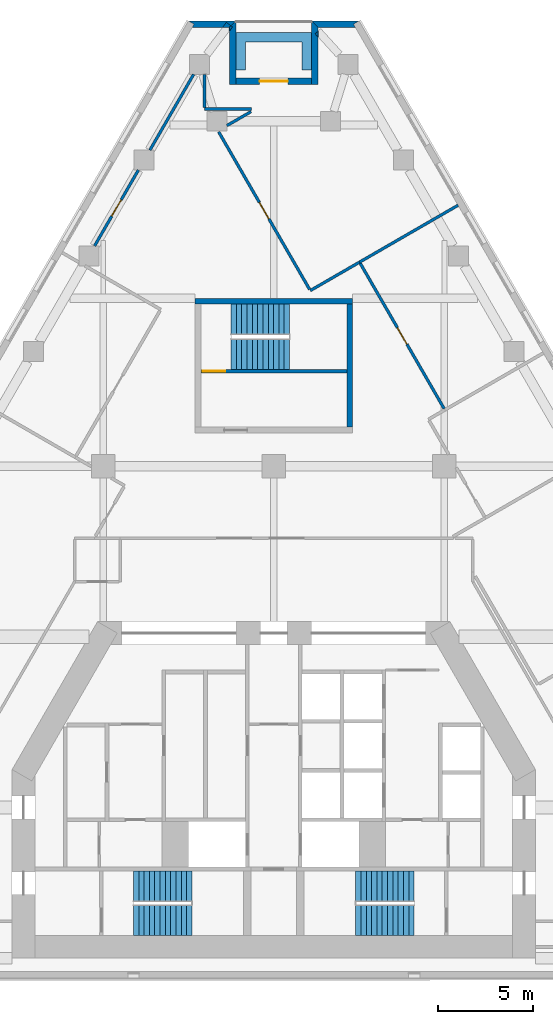
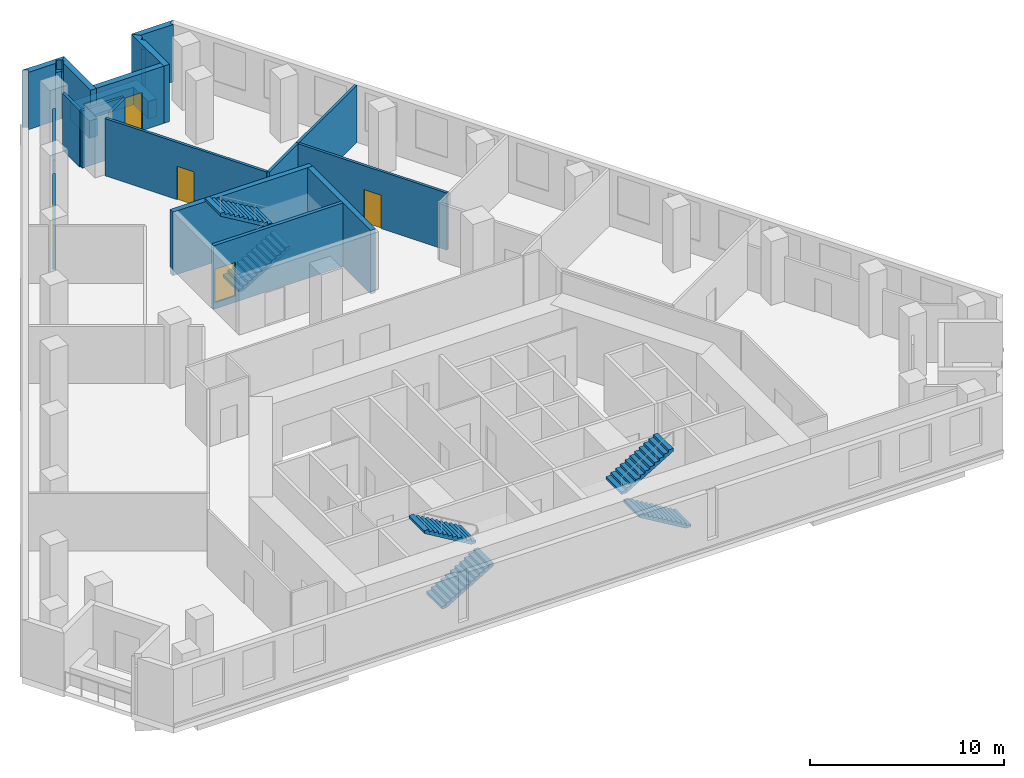
# One storey, part 8 of 9: 21 walls, 6 stair flights, 5 doors, 5 openings, 3 elements without a shape of their own.
"""IFC4 building model written with IfcOpenShell, lengths in metres."""

from ifc_helpers import new_model, si_unit, direction, frame, frame_2d, origin, place, context, subcontext, project, spatial, polyline, rectangle, outline, extrude, material, layer, layer_set, type_object, element, fill, aggregate, save


model = new_model("IFC4")

# Units and contexts
model_context = context("Model", 3, precision=1e-05, world=origin(), true_north=direction((0.0, 1.0)))
body_context = subcontext(model_context, "Body", "Model", "MODEL_VIEW")
ifc_project = project(units=[si_unit("LENGTHUNIT", "METRE"), si_unit("AREAUNIT", "SQUARE_METRE"), si_unit("VOLUMEUNIT", "CUBIC_METRE"), si_unit("PLANEANGLEUNIT", "RADIAN"), si_unit("MASSUNIT", "GRAM", prefix="KILO")], contexts=[model_context])

# Site, building, storey
site_placement = place(None, origin())
site = spatial("IfcSite", under=ifc_project, at=site_placement, CompositionType="ELEMENT")
building_placement = place(site_placement, origin())
building = spatial("IfcBuilding", under=site, at=building_placement, Name="Fogline Exchange Tower", CompositionType="ELEMENT")
storey_placement = place(building_placement, frame((0.0, 0.0, 146.89990234375)))
storey = spatial("IfcBuildingStorey", under=building, at=storey_placement, Name="L32", CompositionType="ELEMENT", Elevation=146.89990234375)

# Wall, opening, door
ifc_material_1 = material(Name="Concrete C40", Category="concrete")
ifc_layer_1 = layer(ifc_material_1, 0.199951171875)
ifc_layer_set_1 = layer_set([ifc_layer_1], Name="CW20R")
wall_type_1 = type_object("IfcWallType", Name="CW20R", PredefinedType="SOLIDWALL", material=ifc_layer_set_1)
wall_1_placement = place(storey_placement, frame((-3.85009765625, 32.007080078125, -0.39990234375), z_axis=(0.0, 0.0, 1.0), x_axis=(1.0, 0.0, 0.0)))
wall_1 = element("IfcWall", 1, at=wall_1_placement, inside=storey, type_object=wall_type_1, Name="Stair enclosure wall ST3", PredefinedType="SOLIDWALL", context=body_context, shape_type="SweptSolid", body=[
    extrude(rectangle(XDim=7.7001953125, YDim=0.199951171875, at=frame_2d((3.85009765625, 0.0))), origin(), (0.0, 0.0, 1.0), 4.0),
])
opening_1_placement = place(wall_1_placement, frame((0.10009765625, 0.0, 0.39990234375)))
opening_1 = element("IfcOpeningElement", 2, at=opening_1_placement, cuts=wall_1, Name="Opening T10-C023", PredefinedType="OPENING", context=body_context, shape_type="SweptSolid", body=[
    extrude(rectangle(XDim=1.199951171875, YDim=2.10009765625, at=frame_2d((0.60009765625, 1.050048828125))), frame((0.0, 0.10986328125, 0.0), z_axis=(0.0, -1.0, 0.0), x_axis=(1.0, 0.0, 0.0)), (0.0, 0.0, 1.0), 0.219970703125),
])
ifc_material_2 = material(Name="Steel and timber fire door", Category="steel")
door_type_1 = type_object("IfcDoorType", Name="D-ST1", OperationType="SINGLE_SWING_LEFT", PredefinedType="DOOR", material=ifc_material_2)
door_1_placement = place(opening_1_placement, origin())
door_1 = element("IfcDoor", 3, at=door_1_placement, inside=storey, type_object=door_type_1, Name="Stair door ST3", OperationType="SINGLE_SWING_LEFT", OverallHeight=2.10009765625, OverallWidth=1.199951171875, PredefinedType="DOOR", context=body_context, shape_type="SweptSolid", body=[
    extrude(rectangle(XDim=1.199951171875, YDim=2.10009765625, at=frame_2d((0.60009765625, 1.050048828125))), frame((0.0, 0.02490234375, 0.0), z_axis=(0.0, -1.0, 0.0), x_axis=(1.0, 0.0, 0.0)), (0.0, 0.0, 1.0), 0.050048828125),
])
fill(opening_1, door_1)

# Walls
ifc_layer_2 = layer(ifc_material_1, 0.300048828125)
ifc_layer_set_2 = layer_set([ifc_layer_2], Name="CW30")
wall_type_2 = type_object("IfcWallType", Name="CW30", PredefinedType="SOLIDWALL", material=ifc_layer_set_2)
wall_2_placement = place(storey_placement, frame((-4.14990234375, 35.70703125, -0.39990234375), z_axis=(0.0, 0.0, 1.0), x_axis=(1.0, 0.0, 0.0)))
element("IfcWall", 4, at=wall_2_placement, inside=storey, type_object=wall_type_2, Name="Stair enclosure wall ST3", PredefinedType="SOLIDWALL", context=body_context, shape_type="SweptSolid", body=[
    extrude(rectangle(XDim=8.2998046875, YDim=0.300048828125, at=frame_2d((4.14990234375, 0.0))), origin(), (0.0, 0.0, 1.0), 4.0),
])
wall_3_placement = place(storey_placement, frame((4.0, 29.056884765625, -0.39990234375), z_axis=(0.0, 0.0, 1.0), x_axis=(0.0, 1.0, 0.0)))
element("IfcWall", 5, at=wall_3_placement, inside=storey, type_object=wall_type_2, Name="Stair enclosure wall ST3", PredefinedType="SOLIDWALL", context=body_context, shape_type="SweptSolid", body=[
    extrude(rectangle(XDim=6.5, YDim=0.300048828125, at=frame_2d((3.25, 0.0))), origin(), (0.0, 0.0, 1.0), 4.0),
])
ifc_material_3 = material(Name="Brick masonry", Category="masonry")
ifc_layer_3 = layer(ifc_material_3, 0.340087890625)
ifc_layer_set_3 = layer_set([ifc_layer_3], Name="FW1")
wall_type_3 = type_object("IfcWallType", Name="FW1", PredefinedType="SOLIDWALL", material=ifc_layer_set_3)
wall_4_placement = place(storey_placement, origin())
element("IfcWall", 6, at=wall_4_placement, inside=storey, type_object=wall_type_3, Name="Brick wall L32 N-c1", PredefinedType="SOLIDWALL", context=body_context, shape_type="SweptSolid", body=[
    extrude(outline(polyline([(1.9990234375, 50.4873046875), (4.5009765625, 50.4873046875), (4.501220703125, 50.486572265625), (4.206298828125, 50.31640625), (4.3046875, 50.14599609375), (2.33984375, 50.14599609375), (1.998779296875, 50.487060546875), (1.9990234375, 50.4873046875)])), origin(), (0.0, 0.0, 1.0), 3.60009765625),
])
wall_5_placement = place(storey_placement, origin())
element("IfcWall", 7, at=wall_5_placement, inside=storey, type_object=wall_type_3, Name="Brick wall L32 N-s1", PredefinedType="SOLIDWALL", context=body_context, shape_type="SweptSolid", body=[
    extrude(outline(polyline([(2.340576171875, 49.641845703125), (2.18798828125, 49.81005859375), (2.340576171875, 49.948486328125), (2.340576171875, 49.641845703125)])), origin(), (0.0, 0.0, 1.0), 3.0),
])
wall_6_placement = place(storey_placement, origin())
element("IfcWall", 8, at=wall_6_placement, inside=storey, type_object=wall_type_3, Name="Brick wall L32 N-s1", PredefinedType="SOLIDWALL", context=body_context, shape_type="SweptSolid", body=[
    extrude(outline(polyline([(1.99951171875, 47.14599609375), (1.99951171875, 50.48779296875), (1.999755859375, 50.48779296875), (2.340576171875, 50.14697265625), (2.340576171875, 49.948486328125), (2.18798828125, 49.81005859375), (2.340576171875, 49.641845703125), (2.340576171875, 47.14599609375), (1.99951171875, 47.14599609375)])), origin(), (0.0, 0.0, 1.0), 3.60009765625),
])

# Wall, opening, door
wall_7_placement = place(storey_placement, frame((2.0, 47.316650390625, 0.0), z_axis=(0.0, 0.0, 1.0), x_axis=(-1.0, 0.0, 0.0)))
wall_7 = element("IfcWall", 9, at=wall_7_placement, inside=storey, type_object=wall_type_3, Name="Brick wall L32 N-bk", PredefinedType="SOLIDWALL", context=body_context, shape_type="SweptSolid", body=[
    extrude(rectangle(XDim=4.0, YDim=0.340087890625, at=frame_2d((2.0, 0.0))), origin(), (0.0, 0.0, 1.0), 3.60009765625),
])
opening_2_placement = place(wall_7_placement, frame((1.25, 0.0, 0.0)))
opening_2 = element("IfcOpeningElement", 10, at=opening_2_placement, cuts=wall_7, Name="Opening T10-E141", PredefinedType="OPENING", context=body_context, shape_type="SweptSolid", body=[
    extrude(rectangle(XDim=1.5, YDim=2.39990234375, at=frame_2d((0.75, 1.199951171875))), frame((0.0, 0.18017578125, 0.0), z_axis=(0.0, -1.0, 0.0), x_axis=(1.0, 0.0, 0.0)), (0.0, 0.0, 1.0), 0.360107421875),
])
ifc_material_4 = material(Name="Aluminium and glass", Category="aluminium")
door_type_2 = type_object("IfcDoorType", Name="ED4", OperationType="SINGLE_SWING_LEFT", PredefinedType="DOOR", material=ifc_material_4)
door_2_placement = place(opening_2_placement, frame((1.5, 0.0, 0.0), z_axis=(0.0, 0.0, 1.0), x_axis=(-1.0, 0.0, 0.0)))
door_2 = element("IfcDoor", 11, at=door_2_placement, inside=storey, type_object=door_type_2, Name="Balcony door L32 N", OperationType="DOUBLE_DOOR_SINGLE_SWING", OverallHeight=2.39990234375, OverallWidth=1.5, PredefinedType="DOOR", context=body_context, shape_type="SweptSolid", body=[
    extrude(rectangle(XDim=1.5, YDim=2.39990234375, at=frame_2d((0.75, 1.199951171875))), frame((0.0, 0.02490234375, 0.0), z_axis=(0.0, -1.0, 0.0), x_axis=(1.0, 0.0, 0.0)), (0.0, 0.0, 1.0), 0.050048828125),
])
fill(opening_2, door_2)

# Walls
wall_8_placement = place(storey_placement, origin())
element("IfcWall", 12, at=wall_8_placement, inside=storey, type_object=wall_type_3, Name="Brick wall L32 N-s2", PredefinedType="SOLIDWALL", context=body_context, shape_type="SweptSolid", body=[
    extrude(outline(polyline([(-2.340576171875, 50.14697265625), (-2.258056640625, 50.2294921875), (-2.180419921875, 50.170654296875), (-2.340576171875, 49.958740234375), (-2.340576171875, 50.14697265625)])), origin(), (0.0, 0.0, 1.0), 3.0),
])
wall_9_placement = place(storey_placement, origin())
element("IfcWall", 13, at=wall_9_placement, inside=storey, type_object=wall_type_3, Name="Brick wall L32 N-s2", PredefinedType="SOLIDWALL", context=body_context, shape_type="SweptSolid", body=[
    extrude(outline(polyline([(-1.99951171875, 47.14599609375), (-2.340576171875, 47.14599609375), (-2.340576171875, 49.958740234375), (-2.180419921875, 50.170654296875), (-2.258056640625, 50.2294921875), (-1.999755859375, 50.48779296875), (-1.99951171875, 50.48779296875), (-1.99951171875, 47.14599609375)])), origin(), (0.0, 0.0, 1.0), 3.60009765625),
])
wall_10_placement = place(storey_placement, origin())
element("IfcWall", 14, at=wall_10_placement, inside=storey, type_object=wall_type_3, Name="Brick wall L32 N-c2", PredefinedType="SOLIDWALL", context=body_context, shape_type="SweptSolid", body=[
    extrude(outline(polyline([(-2.33984375, 50.14599609375), (-2.700439453125, 50.14599609375), (-2.49951171875, 50.411865234375), (-2.257080078125, 50.228759765625), (-2.33984375, 50.14599609375)])), origin(), (0.0, 0.0, 1.0), 3.0),
])
wall_11_placement = place(storey_placement, origin())
element("IfcWall", 15, at=wall_11_placement, inside=storey, type_object=wall_type_3, Name="Brick wall L32 N-c2", PredefinedType="SOLIDWALL", context=body_context, shape_type="SweptSolid", body=[
    extrude(outline(polyline([(-4.206298828125, 50.31640625), (-4.501220703125, 50.486572265625), (-4.5009765625, 50.4873046875), (-1.9990234375, 50.4873046875), (-1.998779296875, 50.487060546875), (-2.257080078125, 50.228759765625), (-2.49951171875, 50.411865234375), (-2.700439453125, 50.14599609375), (-4.3046875, 50.14599609375), (-4.206298828125, 50.31640625)])), origin(), (0.0, 0.0, 1.0), 3.60009765625),
])
ifc_material_5 = material(Name="Concrete C30", Category="concrete")
ifc_layer_4 = layer(ifc_material_5, 0.199951171875)
ifc_layer_set_4 = layer_set([ifc_layer_4], Name="PL1")
wall_type_4 = type_object("IfcWallType", Name="PL1", PredefinedType="USERDEFINED", material=ifc_layer_set_4)
wall_12_placement = place(storey_placement, origin())
element("IfcWall", 16, at=wall_12_placement, inside=storey, type_object=wall_type_4, Name="PLANTER balcony L32 N", ObjectType="PLANTER", PredefinedType="USERDEFINED", context=body_context, shape_type="SweptSolid", body=[
    extrude(outline(polyline([(-1.5, 49.88671875), (-2.0, 49.88671875), (-2.0, 49.38671875), (-2.0, 47.88671875), (-1.5, 47.88671875), (-1.5, 49.38671875), (1.5, 49.38671875), (1.5, 47.88671875), (2.0, 47.88671875), (2.0, 49.38671875), (2.0, 49.88671875), (1.5, 49.88671875), (-1.5, 49.88671875)])), origin(), (0.0, 0.0, 1.0), 1.10009765625),
])
ifc_material_6 = material(Name="Plasterboard demising partition with mineral wool and acoustic board")
ifc_layer_5 = layer(ifc_material_6, 0.14990234375)
ifc_layer_set_5 = layer_set([ifc_layer_5], Name="PW3")
wall_type_5 = type_object("IfcWallType", Name="PW3", PredefinedType="PARTITIONING", material=ifc_layer_set_5)
wall_13_placement = place(storey_placement, frame((4.5244140625, 37.76416015625, 0.0), z_axis=(0.0, 0.0, 1.0), x_axis=(0.866031096941, 0.499990139034, 0.0)))
element("IfcWall", 17, at=wall_13_placement, inside=storey, type_object=wall_type_5, Name="wall-L32-W023", PredefinedType="PARTITIONING", context=body_context, shape_type="SweptSolid", body=[
    extrude(rectangle(XDim=6.0, YDim=0.14990234375, at=frame_2d((3.0, 0.0))), origin(), (0.0, 0.0, 1.0), 3.60009765625),
])

# Wall, opening, door
wall_14_placement = place(storey_placement, frame((8.987060546875, 30.034912109375, 0.0), z_axis=(0.0, 0.0, 1.0), x_axis=(-0.500005027614, 0.86602250107, 0.0)))
wall_14 = element("IfcWall", 18, at=wall_14_placement, inside=storey, type_object=wall_type_5, Name="wall-L32-W024", PredefinedType="PARTITIONING", context=body_context, shape_type="SweptSolid", body=[
    extrude(rectangle(XDim=8.85009765625, YDim=0.14990234375, at=frame_2d((4.425048828125, 0.0))), origin(), (0.0, 0.0, 1.0), 3.60009765625),
])
opening_3_placement = place(wall_14_placement, frame((3.925048828125, 0.0, 0.0)))
opening_3 = element("IfcOpeningElement", 19, at=opening_3_placement, cuts=wall_14, Name="Opening T10-D008", PredefinedType="OPENING", context=body_context, shape_type="SweptSolid", body=[
    extrude(rectangle(XDim=1.0, YDim=2.10009765625, at=frame_2d((0.5, 1.050048828125))), frame((0.0, 0.0849609375, 0.0), z_axis=(0.0, -1.0, 0.0), x_axis=(1.0, 0.0, 0.0)), (0.0, 0.0, 1.0), 0.169921875),
])
ifc_material_7 = material(Name="Fire-rated timber door leaf with steel frame", Category="steel")
door_type_3 = type_object("IfcDoorType", Name="D3", OperationType="SINGLE_SWING_LEFT", PredefinedType="DOOR", material=ifc_material_7)
door_3_placement = place(opening_3_placement, frame((1.0, 0.0, 0.0), z_axis=(0.0, 0.0, 1.0), x_axis=(-1.0, 0.0, 0.0)))
door_3 = element("IfcDoor", 20, at=door_3_placement, inside=storey, type_object=door_type_3, Name="door-L32-D008", OperationType="SINGLE_SWING_RIGHT", OverallHeight=2.10009765625, OverallWidth=1.0, PredefinedType="DOOR", context=body_context, shape_type="SweptSolid", body=[
    extrude(rectangle(XDim=1.0, YDim=2.10009765625, at=frame_2d((0.5, 1.050048828125))), frame((0.0, 0.02490234375, 0.0), z_axis=(0.0, -1.0, 0.0), x_axis=(1.0, 0.0, 0.0)), (0.0, 0.0, 1.0), 0.050048828125),
])
fill(opening_3, door_3)

# Wall
wall_15_placement = place(storey_placement, frame((4.5244140625, 37.76416015625, 0.0), z_axis=(0.0, 0.0, 1.0), x_axis=(-0.866010750942, -0.50002537861, 0.0)))
element("IfcWall", 21, at=wall_15_placement, inside=storey, type_object=wall_type_5, Name="wall-L32-W025", PredefinedType="PARTITIONING", context=body_context, shape_type="SweptSolid", body=[
    extrude(rectangle(XDim=2.999755859375, YDim=0.14990234375, at=frame_2d((1.5, 0.0))), origin(), (0.0, 0.0, 1.0), 3.60009765625),
])

# Wall, opening, door
wall_16_placement = place(storey_placement, frame((1.888916015625, 36.3291015625, 0.0), z_axis=(0.0, 0.0, 1.0), x_axis=(-0.499983220793, 0.866035091047, 0.0)))
wall_16 = element("IfcWall", 22, at=wall_16_placement, inside=storey, type_object=wall_type_5, Name="wall-L32-W026", PredefinedType="PARTITIONING", context=body_context, shape_type="SweptSolid", body=[
    extrude(rectangle(XDim=9.590087890625, YDim=0.14990234375, at=frame_2d((4.794921875, 0.0))), origin(), (0.0, 0.0, 1.0), 3.60009765625),
])
opening_4_placement = place(wall_16_placement, frame((4.294921875, 0.0, 0.0)))
opening_4 = element("IfcOpeningElement", 23, at=opening_4_placement, cuts=wall_16, Name="Opening T10-D009", PredefinedType="OPENING", context=body_context, shape_type="SweptSolid", body=[
    extrude(rectangle(XDim=1.0, YDim=2.10009765625, at=frame_2d((0.5, 1.050048828125))), frame((0.0, 0.0849609375, 0.0), z_axis=(0.0, -1.0, 0.0), x_axis=(1.0, 0.0, 0.0)), (0.0, 0.0, 1.0), 0.169921875),
])
door_4_placement = place(opening_4_placement, frame((1.0, 0.0, 0.0), z_axis=(0.0, 0.0, 1.0), x_axis=(-1.0, 0.0, 0.0)))
door_4 = element("IfcDoor", 24, at=door_4_placement, inside=storey, type_object=door_type_3, Name="door-L32-D009", OperationType="SINGLE_SWING_RIGHT", OverallHeight=2.10009765625, OverallWidth=1.0, PredefinedType="DOOR", context=body_context, shape_type="SweptSolid", body=[
    extrude(rectangle(XDim=1.0, YDim=2.10009765625, at=frame_2d((0.5, 1.050048828125))), frame((0.0, 0.02490234375, 0.0), z_axis=(0.0, -1.0, 0.0), x_axis=(1.0, 0.0, 0.0)), (0.0, 0.0, 1.0), 0.050048828125),
])
fill(opening_4, door_4)

# Wall
wall_17_placement = place(storey_placement, frame((-2.47509765625, 44.965576171875, 0.0), z_axis=(0.0, 0.0, 1.0), x_axis=(0.866050237424, 0.499956984408, 0.0)))
element("IfcWall", 25, at=wall_17_placement, inside=storey, type_object=wall_type_5, Name="wall-L32-W027", PredefinedType="PARTITIONING", context=body_context, shape_type="SweptSolid", body=[
    extrude(rectangle(XDim=1.471923828125, YDim=0.14990234375, at=frame_2d((0.73583984375, 0.0))), origin(), (0.0, 0.0, 1.0), 3.60009765625),
])

# Wall, opening, door
wall_18_placement = place(storey_placement, frame((-9.451171875, 38.62109375, 0.0), z_axis=(0.0, 0.0, 1.0), x_axis=(0.500004591975, 0.86602275259, 0.0)))
wall_18 = element("IfcWall", 26, at=wall_18_placement, inside=storey, type_object=wall_type_5, Name="wall-L32-W028", PredefinedType="PARTITIONING", context=body_context, shape_type="SweptSolid", body=[
    extrude(rectangle(XDim=4.619140625, YDim=0.14990234375, at=frame_2d((2.3095703125, 0.0))), origin(), (0.0, 0.0, 1.0), 2.800048828125),
])
opening_5_placement = place(wall_18_placement, frame((1.8095703125, 0.0, 0.0)))
opening_5 = element("IfcOpeningElement", 27, at=opening_5_placement, cuts=wall_18, Name="Opening T10-D010", PredefinedType="OPENING", context=body_context, shape_type="SweptSolid", body=[
    extrude(rectangle(XDim=1.0, YDim=2.10009765625, at=frame_2d((0.5, 1.050048828125))), frame((0.0, 0.0849609375, 0.0), z_axis=(0.0, -1.0, 0.0), x_axis=(1.0, 0.0, 0.0)), (0.0, 0.0, 1.0), 0.169921875),
])
door_5_placement = place(opening_5_placement, origin())
door_5 = element("IfcDoor", 28, at=door_5_placement, inside=storey, type_object=door_type_3, Name="door-L32-D010", OperationType="SINGLE_SWING_LEFT", OverallHeight=2.10009765625, OverallWidth=1.0, PredefinedType="DOOR", context=body_context, shape_type="SweptSolid", body=[
    extrude(rectangle(XDim=1.0, YDim=2.10009765625, at=frame_2d((0.5, 1.050048828125))), frame((0.0, 0.02490234375, 0.0), z_axis=(0.0, -1.0, 0.0), x_axis=(1.0, 0.0, 0.0)), (0.0, 0.0, 1.0), 0.050048828125),
])
fill(opening_5, door_5)

# Walls
wall_19_placement = place(storey_placement, frame((-6.535400390625, 43.67138671875, 0.0), z_axis=(0.0, 0.0, 1.0), x_axis=(0.500004591975, 0.86602275259, 0.0)))
element("IfcWall", 29, at=wall_19_placement, inside=storey, type_object=wall_type_5, Name="wall-L32-W029", PredefinedType="PARTITIONING", context=body_context, shape_type="SweptSolid", body=[
    extrude(rectangle(XDim=4.619140625, YDim=0.14990234375, at=frame_2d((2.3095703125, 0.0))), origin(), (0.0, 0.0, 1.0), 2.800048828125),
])
wall_20_placement = place(storey_placement, frame((-3.64501953125, 47.671630859375, 0.0), z_axis=(0.0, 0.0, 1.0), x_axis=(0.0, -1.0, 0.0)))
element("IfcWall", 30, at=wall_20_placement, inside=storey, type_object=wall_type_5, Name="wall-L32-W030", PredefinedType="PARTITIONING", context=body_context, shape_type="SweptSolid", body=[
    extrude(rectangle(XDim=1.7548828125, YDim=0.14990234375, at=frame_2d((0.87744140625, 0.0))), origin(), (0.0, 0.0, 1.0), 3.60009765625),
])
wall_21_placement = place(storey_placement, frame((-3.64501953125, 45.841796875, 0.0), z_axis=(0.0, 0.0, 1.0), x_axis=(1.0, 0.0, 0.0)))
element("IfcWall", 31, at=wall_21_placement, inside=storey, type_object=wall_type_5, Name="wall-L32-W031", PredefinedType="PARTITIONING", context=body_context, shape_type="SweptSolid", body=[
    extrude(rectangle(XDim=2.469970703125, YDim=0.14990234375, at=frame_2d((1.23486328125, 0.0))), origin(), (0.0, 0.0, 1.0), 3.60009765625),
])

# Stair, stair flights
stair_type = type_object("IfcStairType", Name="STR24-1667", PredefinedType="HALF_TURN_STAIR", material=ifc_material_1)
stair_1_placement = place(storey_placement, origin())
stair_1 = element("IfcStair", 32, at=stair_1_placement, inside=storey, type_object=stair_type, Name="Stair ST1", PredefinedType="HALF_TURN_STAIR")
stair_flight_type = type_object("IfcStairFlightType", Name="SF12-1667", PredefinedType="STRAIGHT", material=ifc_material_1)
stair_flight_1_placement = place(storey_placement, frame((-7.39990234375, 3.050048828125, 0.0), z_axis=(0.0, 0.0, 1.0), x_axis=(1.0, 0.0, 0.0)))
stair_flight_1 = element("IfcStairFlight", 33, at=stair_flight_1_placement, type_object=stair_flight_type, Name="ST1 flight 1", NumberOfRisers=12, NumberOfTreads=11, PredefinedType="STRAIGHT", RiserHeight=0.166666667, TreadLength=0.28, context=body_context, shape_type="SweptSolid", body=[
    extrude(outline(polyline([(0.0, 0.0), (0.0, 0.166748046875), (0.280029296875, 0.166748046875), (0.280029296875, 0.333251953125), (0.56005859375, 0.333251953125), (0.56005859375, 0.5), (0.840087890625, 0.5), (0.840087890625, 0.666748046875), (1.1201171875, 0.666748046875), (1.1201171875, 0.833251953125), (1.39990234375, 0.833251953125), (1.39990234375, 1.0), (1.679931640625, 1.0), (1.679931640625, 1.166748046875), (1.9599609375, 1.166748046875), (1.9599609375, 1.333251953125), (2.239990234375, 1.333251953125), (2.239990234375, 1.5), (2.52001953125, 1.5), (2.52001953125, 1.666748046875), (2.800048828125, 1.666748046875), (2.800048828125, 1.833251953125), (3.080078125, 1.833251953125), (3.080078125, 2.0), (3.080078125, 1.658935546875), (0.29296875, 0.0), (0.0, 0.0)])), frame((0.0, 0.800048828125, 0.0), z_axis=(0.0, -1.0, 0.0), x_axis=(1.0, 0.0, 0.0)), (0.0, 0.0, 1.0), 1.60009765625),
])
stair_flight_2_placement = place(storey_placement, frame((-4.320068359375, 4.85009765625, 2.0), z_axis=(0.0, 0.0, 1.0), x_axis=(-1.0, 0.0, 0.0)))
stair_flight_2 = element("IfcStairFlight", 34, at=stair_flight_2_placement, type_object=stair_flight_type, Name="ST1 flight 2", NumberOfRisers=12, NumberOfTreads=11, PredefinedType="STRAIGHT", RiserHeight=0.166666667, TreadLength=0.28, context=body_context, shape_type="SweptSolid", body=[
    extrude(outline(polyline([(0.0, 0.0), (0.0, 0.166748046875), (0.280029296875, 0.166748046875), (0.280029296875, 0.333251953125), (0.56005859375, 0.333251953125), (0.56005859375, 0.5), (0.840087890625, 0.5), (0.840087890625, 0.666748046875), (1.1201171875, 0.666748046875), (1.1201171875, 0.833251953125), (1.39990234375, 0.833251953125), (1.39990234375, 1.0), (1.679931640625, 1.0), (1.679931640625, 1.166748046875), (1.9599609375, 1.166748046875), (1.9599609375, 1.333251953125), (2.239990234375, 1.333251953125), (2.239990234375, 1.5), (2.52001953125, 1.5), (2.52001953125, 1.666748046875), (2.800048828125, 1.666748046875), (2.800048828125, 1.833251953125), (3.080078125, 1.833251953125), (3.080078125, 2.0), (3.080078125, 1.658935546875), (0.29296875, 0.0), (0.0, 0.0)])), frame((0.0, 0.800048828125, 0.0), z_axis=(0.0, -1.0, 0.0), x_axis=(1.0, 0.0, 0.0)), (0.0, 0.0, 1.0), 1.60009765625),
])
aggregate(stair_1, [stair_flight_1, stair_flight_2])

stair_2_placement = place(storey_placement, origin())
stair_2 = element("IfcStair", 35, at=stair_2_placement, inside=storey, type_object=stair_type, Name="Stair ST2", PredefinedType="HALF_TURN_STAIR")
stair_flight_3_placement = place(storey_placement, frame((7.39990234375, 3.050048828125, 0.0), z_axis=(0.0, 0.0, 1.0), x_axis=(-1.0, 0.0, 0.0)))
stair_flight_3 = element("IfcStairFlight", 36, at=stair_flight_3_placement, type_object=stair_flight_type, Name="ST2 flight 1", NumberOfRisers=12, NumberOfTreads=11, PredefinedType="STRAIGHT", RiserHeight=0.166666667, TreadLength=0.28, context=body_context, shape_type="SweptSolid", body=[
    extrude(outline(polyline([(0.0, 0.0), (0.0, 0.166748046875), (0.280029296875, 0.166748046875), (0.280029296875, 0.333251953125), (0.56005859375, 0.333251953125), (0.56005859375, 0.5), (0.840087890625, 0.5), (0.840087890625, 0.666748046875), (1.1201171875, 0.666748046875), (1.1201171875, 0.833251953125), (1.39990234375, 0.833251953125), (1.39990234375, 1.0), (1.679931640625, 1.0), (1.679931640625, 1.166748046875), (1.9599609375, 1.166748046875), (1.9599609375, 1.333251953125), (2.239990234375, 1.333251953125), (2.239990234375, 1.5), (2.52001953125, 1.5), (2.52001953125, 1.666748046875), (2.800048828125, 1.666748046875), (2.800048828125, 1.833251953125), (3.080078125, 1.833251953125), (3.080078125, 2.0), (3.080078125, 1.658935546875), (0.29296875, 0.0), (0.0, 0.0)])), frame((0.0, 0.800048828125, 0.0), z_axis=(0.0, -1.0, 0.0), x_axis=(1.0, 0.0, 0.0)), (0.0, 0.0, 1.0), 1.60009765625),
])
stair_flight_4_placement = place(storey_placement, frame((4.320068359375, 4.85009765625, 2.0), z_axis=(0.0, 0.0, 1.0), x_axis=(1.0, 0.0, 0.0)))
stair_flight_4 = element("IfcStairFlight", 37, at=stair_flight_4_placement, type_object=stair_flight_type, Name="ST2 flight 2", NumberOfRisers=12, NumberOfTreads=11, PredefinedType="STRAIGHT", RiserHeight=0.166666667, TreadLength=0.28, context=body_context, shape_type="SweptSolid", body=[
    extrude(outline(polyline([(0.0, 0.0), (0.0, 0.166748046875), (0.280029296875, 0.166748046875), (0.280029296875, 0.333251953125), (0.56005859375, 0.333251953125), (0.56005859375, 0.5), (0.840087890625, 0.5), (0.840087890625, 0.666748046875), (1.1201171875, 0.666748046875), (1.1201171875, 0.833251953125), (1.39990234375, 0.833251953125), (1.39990234375, 1.0), (1.679931640625, 1.0), (1.679931640625, 1.166748046875), (1.9599609375, 1.166748046875), (1.9599609375, 1.333251953125), (2.239990234375, 1.333251953125), (2.239990234375, 1.5), (2.52001953125, 1.5), (2.52001953125, 1.666748046875), (2.800048828125, 1.666748046875), (2.800048828125, 1.833251953125), (3.080078125, 1.833251953125), (3.080078125, 2.0), (3.080078125, 1.658935546875), (0.29296875, 0.0), (0.0, 0.0)])), frame((0.0, 0.800048828125, 0.0), z_axis=(0.0, -1.0, 0.0), x_axis=(1.0, 0.0, 0.0)), (0.0, 0.0, 1.0), 1.60009765625),
])
aggregate(stair_2, [stair_flight_3, stair_flight_4])

stair_3_placement = place(storey_placement, origin())
stair_3 = element("IfcStair", 38, at=stair_3_placement, inside=storey, type_object=stair_type, Name="Stair ST3", PredefinedType="HALF_TURN_STAIR")
stair_flight_5_placement = place(storey_placement, frame((-2.25, 32.906982421875, 0.0), z_axis=(0.0, 0.0, 1.0), x_axis=(1.0, 0.0, 0.0)))
stair_flight_5 = element("IfcStairFlight", 39, at=stair_flight_5_placement, type_object=stair_flight_type, Name="ST3 flight 1", NumberOfRisers=12, NumberOfTreads=11, PredefinedType="STRAIGHT", RiserHeight=0.166666667, TreadLength=0.28, context=body_context, shape_type="SweptSolid", body=[
    extrude(outline(polyline([(0.0, 0.0), (0.0, 0.166748046875), (0.280029296875, 0.166748046875), (0.280029296875, 0.333251953125), (0.56005859375, 0.333251953125), (0.56005859375, 0.5), (0.840087890625, 0.5), (0.840087890625, 0.666748046875), (1.1201171875, 0.666748046875), (1.1201171875, 0.833251953125), (1.39990234375, 0.833251953125), (1.39990234375, 1.0), (1.679931640625, 1.0), (1.679931640625, 1.166748046875), (1.9599609375, 1.166748046875), (1.9599609375, 1.333251953125), (2.239990234375, 1.333251953125), (2.239990234375, 1.5), (2.52001953125, 1.5), (2.52001953125, 1.666748046875), (2.800048828125, 1.666748046875), (2.800048828125, 1.833251953125), (3.080078125, 1.833251953125), (3.080078125, 2.0), (3.080078125, 1.658935546875), (0.29296875, 0.0), (0.0, 0.0)])), frame((0.0, 0.800048828125, 0.0), z_axis=(0.0, -1.0, 0.0), x_axis=(1.0, 0.0, 0.0)), (0.0, 0.0, 1.0), 1.60009765625),
])
stair_flight_6_placement = place(storey_placement, frame((0.830078125, 34.757080078125, 2.0), z_axis=(0.0, 0.0, 1.0), x_axis=(-1.0, 0.0, 0.0)))
stair_flight_6 = element("IfcStairFlight", 40, at=stair_flight_6_placement, type_object=stair_flight_type, Name="ST3 flight 2", NumberOfRisers=12, NumberOfTreads=11, PredefinedType="STRAIGHT", RiserHeight=0.166666667, TreadLength=0.28, context=body_context, shape_type="SweptSolid", body=[
    extrude(outline(polyline([(0.0, 0.0), (0.0, 0.166748046875), (0.280029296875, 0.166748046875), (0.280029296875, 0.333251953125), (0.56005859375, 0.333251953125), (0.56005859375, 0.5), (0.840087890625, 0.5), (0.840087890625, 0.666748046875), (1.1201171875, 0.666748046875), (1.1201171875, 0.833251953125), (1.39990234375, 0.833251953125), (1.39990234375, 1.0), (1.679931640625, 1.0), (1.679931640625, 1.166748046875), (1.9599609375, 1.166748046875), (1.9599609375, 1.333251953125), (2.239990234375, 1.333251953125), (2.239990234375, 1.5), (2.52001953125, 1.5), (2.52001953125, 1.666748046875), (2.800048828125, 1.666748046875), (2.800048828125, 1.833251953125), (3.080078125, 1.833251953125), (3.080078125, 2.0), (3.080078125, 1.658935546875), (0.29296875, 0.0), (0.0, 0.0)])), frame((0.0, 0.800048828125, 0.0), z_axis=(0.0, -1.0, 0.0), x_axis=(1.0, 0.0, 0.0)), (0.0, 0.0, 1.0), 1.60009765625),
])
aggregate(stair_3, [stair_flight_5, stair_flight_6])

save(model, "model.ifc")
